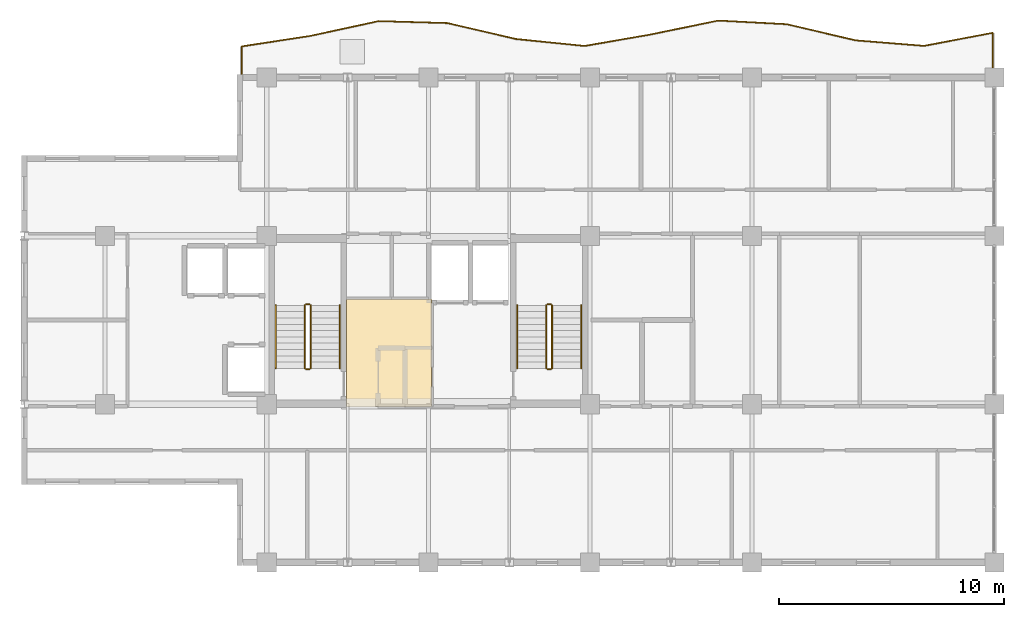
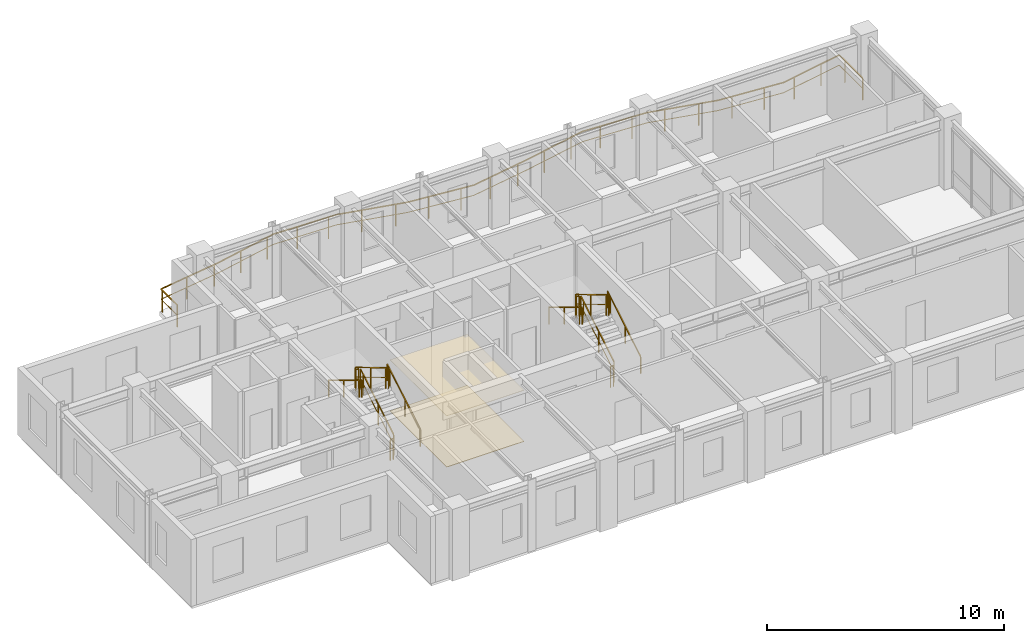
# One storey, part 10 of 10: 13 railings, 2 coverings.
"""IFC4 building model written with IfcOpenShell, lengths in metres."""

import ifcopenshell
import ifcopenshell.guid

model = None  # the IFC model being written
_history = None  # IfcOwnerHistory: only IFC2X3 demands one
_inside = {}  # id of a spatial element -> (the spatial element, [elements in it])
_under = {}  # id of a project, library or spatial element -> (it, [spatial elements below it])
_declared = {}  # id of a project -> (the project, [libraries it declares])
_typed = {}  # id of a type object -> (the type object, [elements of that type])
_made_of = {}  # id of a material, layer set ... -> (it, [elements and type objects made of it])


def new_model(schema):
    """Start an empty IFC model of exactly this schema.

    Asked for "IFC4X3", IfcOpenShell would pick the latest addendum, in which some entities
    have other attributes; the version numbers below select the first issue.
    IFC2X3 requires an IfcOwnerHistory on every rooted entity: one is made here for all.
    """
    global model, _history
    if schema == "IFC4X3":
        model = ifcopenshell.file(schema_version=(4, 3, 0, 0))
    else:
        model = ifcopenshell.file(schema=schema)
    _inside.clear()
    _under.clear()
    _declared.clear()
    _typed.clear()
    _made_of.clear()
    _history = None
    if model.schema == "IFC2X3":
        org = make("IfcOrganization", Name="unknown")
        user = make(
            "IfcPersonAndOrganization",
            ThePerson=make("IfcPerson", FamilyName="unknown"),
            TheOrganization=org,
        )
        app = make(
            "IfcApplication",
            ApplicationDeveloper=org,
            Version="unknown",
            ApplicationFullName="unknown",
            ApplicationIdentifier="unknown",
        )
        _history = make(
            "IfcOwnerHistory",
            OwningUser=user,
            OwningApplication=app,
            ChangeAction="ADDED",
            CreationDate=0,
        )
    return model


def make(cls, **values):
    """One entity of the class cls with the attributes given. An attribute that is None is left unset."""
    return model.create_entity(
        cls, **{name: value for name, value in values.items() if value is not None}
    )


def rooted(cls, **values):
    """An entity with a GlobalId (a new one), such as an element, a storey or a relation."""
    return make(cls, GlobalId=ifcopenshell.guid.new(), OwnerHistory=_history, **values)


def si_unit(unit_type, name, prefix=None):
    """IfcSIUnit, for example si_unit("LENGTHUNIT", "METRE", prefix="MILLI")."""
    return make("IfcSIUnit", UnitType=unit_type, Prefix=prefix, Name=name)


def assignment(units):
    """IfcUnitAssignment: the units of a project."""
    return None if units is None else make("IfcUnitAssignment", Units=units)


def point(xyz):
    """IfcCartesianPoint."""
    return None if xyz is None else make("IfcCartesianPoint", Coordinates=xyz)


def direction(xyz):
    """IfcDirection."""
    return None if xyz is None else make("IfcDirection", DirectionRatios=xyz)


def frame(location, z_axis=None, x_axis=None):
    """IfcAxis2Placement3D, a coordinate frame: its origin and axes. An axis left out is left unset."""
    return make(
        "IfcAxis2Placement3D",
        Location=point(location),
        Axis=direction(z_axis),
        RefDirection=direction(x_axis),
    )


def frame_2d(location, x_axis=None):
    """IfcAxis2Placement2D, a coordinate frame in the plane: its origin and x axis."""
    return make(
        "IfcAxis2Placement2D", Location=point(location), RefDirection=direction(x_axis)
    )


def origin():
    """The frame at (0, 0, 0) with its axes left unset."""
    return frame((0.0, 0.0, 0.0))


def origin_2d():
    """The frame at (0, 0) in the plane with its x axis left unset."""
    return frame_2d((0.0, 0.0))


def place(relative_to, where):
    """IfcLocalPlacement: puts the frame where relative to a parent placement (None: the world)."""
    return make(
        "IfcLocalPlacement", PlacementRelTo=relative_to, RelativePlacement=where
    )


def context(
    kind, dimensions, precision=None, world=None, true_north=None, identifier=None
):
    """IfcGeometricRepresentationContext, for example the 3D "Model" context."""
    return make(
        "IfcGeometricRepresentationContext",
        ContextIdentifier=identifier,
        ContextType=kind,
        CoordinateSpaceDimension=dimensions,
        Precision=precision,
        WorldCoordinateSystem=world,
        TrueNorth=true_north,
    )


def subcontext(parent, identifier, kind, view, scale=None):
    """IfcGeometricRepresentationSubContext, for example "Body" below "Model"."""
    return make(
        "IfcGeometricRepresentationSubContext",
        ContextIdentifier=identifier,
        ContextType=kind,
        ParentContext=parent,
        TargetScale=scale,
        TargetView=view,
    )


def project(units=None, contexts=None):
    """IfcProject with its units and contexts."""
    return rooted(
        "IfcProject",
        Name="project",
        RepresentationContexts=contexts,
        UnitsInContext=assignment(units),
    )


def spatial(cls, under=None, at=None, **own):
    """A site, building, storey or space (cls), placed at a placement, below another one or the project."""
    s = rooted(cls, ObjectPlacement=at, **own)
    if under is not None:
        _under.setdefault(under.id(), (under, []))[1].append(s)
    return s


def profile(cls, at=None, kind="AREA", **sizes):
    """A parametric profile (cls). Its sizes go by their IFC names, for example OverallWidth=200.0."""
    return make(cls, ProfileType=kind, Position=at, **sizes)


def rectangle(**sizes):
    """IfcRectangleProfileDef."""
    return profile("IfcRectangleProfileDef", **sizes)


def extrude(swept, where, along, depth):
    """IfcExtrudedAreaSolid: the profile swept, set in the frame where, extruded along a direction by depth."""
    return make(
        "IfcExtrudedAreaSolid",
        SweptArea=swept,
        Position=where,
        ExtrudedDirection=direction(along),
        Depth=depth,
    )


def shape(context_of_items, identifier, shape_type, items):
    """IfcShapeRepresentation: the items that make up one representation, for example the "Body"."""
    return make(
        "IfcShapeRepresentation",
        ContextOfItems=context_of_items,
        RepresentationIdentifier=identifier,
        RepresentationType=shape_type,
        Items=items,
    )


def source(mapping_origin, context_of_items, identifier, shape_type, items):
    """IfcRepresentationMap: a shape defined once, which mapped items show again and again."""
    return make(
        "IfcRepresentationMap",
        MappingOrigin=mapping_origin,
        MappedRepresentation=shape(context_of_items, identifier, shape_type, items),
    )


def transform(
    local_origin,
    x_axis=None,
    y_axis=None,
    z_axis=None,
    scale=None,
    scale2=None,
    scale3=None,
    uniform=True,
):
    """IfcCartesianTransformationOperator3D, or its non-uniform kind. x_axis, y_axis, z_axis: its Axis1, 2, 3."""
    if uniform:
        return make(
            "IfcCartesianTransformationOperator3D",
            Axis1=direction(x_axis),
            Axis2=direction(y_axis),
            LocalOrigin=point(local_origin),
            Scale=scale,
            Axis3=direction(z_axis),
        )
    return make(
        "IfcCartesianTransformationOperator3DnonUniform",
        Axis1=direction(x_axis),
        Axis2=direction(y_axis),
        LocalOrigin=point(local_origin),
        Scale=scale,
        Axis3=direction(z_axis),
        Scale2=scale2,
        Scale3=scale3,
    )


def mapped(mapping_source, mapping_target):
    """IfcMappedItem: shows the shape of a source again, moved by a transform."""
    return make(
        "IfcMappedItem", MappingSource=mapping_source, MappingTarget=mapping_target
    )


def material(Name=None, Category=None):
    """IfcMaterial."""
    return make("IfcMaterial", Name=Name, Category=Category)


def layer(
    of_material, thickness, ventilated=None, Name=None, Category=None, Priority=None
):
    """IfcMaterialLayer: one layer of a wall or slab, of a material (None: an air gap)."""
    return make(
        "IfcMaterialLayer",
        Material=of_material,
        LayerThickness=thickness,
        IsVentilated=ventilated,
        Name=Name,
        Category=Category,
        Priority=Priority,
    )


def layer_set(layers, Name=None):
    """IfcMaterialLayerSet."""
    return make("IfcMaterialLayerSet", MaterialLayers=layers, LayerSetName=Name)


def made_of(thing, what):
    """Note that an element or type object is made of a material, layer set ...; save() writes the relation."""
    if what is not None:
        _made_of.setdefault(what.id(), (what, []))[1].append(thing)
    return thing


def type_object(cls, material=None, **own):
    """A type object (cls), such as IfcWallType, which elements share."""
    return made_of(rooted(cls, **own), material)


def element(
    cls,
    number,
    at=None,
    inside=None,
    cuts=None,
    type_object=None,
    material=None,
    context=None,
    identifier="Body",
    shape_type=None,
    held_by="IfcProductDefinitionShape",
    body=None,
    shapes=None,
    **own,
):
    """One element of the class cls, such as IfcWall. Its Tag is "e" and its number.

    at: its placement. inside: the storey or other place that contains it. cuts: it is an
    opening in that element (IfcRelVoidsElement). A single representation is given by context,
    identifier, shape_type and body (its items); several are given by shapes. held_by: the class
    of the entity that holds the representations. save() writes the other relations.
    """
    e = rooted(cls, Tag="e%d" % number, ObjectPlacement=at, **own)
    if body is not None:
        shapes = [shape(context, identifier, shape_type, body)]
    if shapes is not None:
        e.Representation = make(held_by, Representations=shapes)
    if inside is not None:
        _inside.setdefault(inside.id(), (inside, []))[1].append(e)
    if cuts is not None:
        rooted(
            "IfcRelVoidsElement", RelatingBuildingElement=cuts, RelatedOpeningElement=e
        )
    if type_object is not None:
        _typed.setdefault(type_object.id(), (type_object, []))[1].append(e)
    return made_of(e, material)


def aggregate(whole, parts):
    """IfcRelAggregates: a whole, such as a stair, and the parts it consists of."""
    return rooted("IfcRelAggregates", RelatingObject=whole, RelatedObjects=parts)


def save(model, path):
    """Write the relations noted so far, then the file.

    IfcRelAggregates (storeys below a building ...), IfcRelContainedInSpatialStructure (elements
    in a storey), IfcRelDefinesByType, IfcRelAssociatesMaterial and IfcRelDeclares: one each for
    every whole, place, type object, material and project.
    """
    for whole, parts in _under.values():
        aggregate(whole, parts)
    for where, things in _inside.values():
        rooted(
            "IfcRelContainedInSpatialStructure",
            RelatedElements=things,
            RelatingStructure=where,
        )
    for kind, things in _typed.values():
        rooted("IfcRelDefinesByType", RelatedObjects=things, RelatingType=kind)
    for what, things in _made_of.values():
        rooted("IfcRelAssociatesMaterial", RelatedObjects=things, RelatingMaterial=what)
    for by, libraries in _declared.values():
        rooted("IfcRelDeclares", RelatingContext=by, RelatedDefinitions=libraries)
    model.write(path)


model = new_model("IFC4")

# Units and contexts
model_context = context("Model", 3, precision=1e-05, world=origin(), true_north=direction((0.0, 1.0)))
body_context = subcontext(model_context, "Body", "Model", "MODEL_VIEW")
ifc_project = project(units=[si_unit("LENGTHUNIT", "METRE"), si_unit("AREAUNIT", "SQUARE_METRE"), si_unit("VOLUMEUNIT", "CUBIC_METRE"), si_unit("PLANEANGLEUNIT", "RADIAN"), si_unit("MASSUNIT", "GRAM", prefix="KILO")], contexts=[model_context])

# Site, building, storey
site_placement = place(None, origin())
site = spatial("IfcSite", under=ifc_project, at=site_placement, CompositionType="ELEMENT")
building_placement = place(site_placement, origin())
building = spatial("IfcBuilding", under=site, at=building_placement, Name="Kaliganga Portal Commons", CompositionType="ELEMENT")
storey_placement = place(building_placement, frame((0.0, 0.0, 283.199951171875)))
storey = spatial("IfcBuildingStorey", under=building, at=storey_placement, Name="L73", CompositionType="ELEMENT", Elevation=283.199951171875)

# Railings
ifc_material_1 = material(Name="Laminated Safety Glass and Stainless Steel 316", Category="steel")
railing_type_1 = type_object("IfcRailingType", Name="RLG-BAL-1150", PredefinedType="BALUSTRADE", material=ifc_material_1)
railing_1_placement = place(storey_placement, frame((46.720458984375, 43.2080078125, 0.0)))
element("IfcRailing", 1, at=railing_1_placement, inside=storey, type_object=railing_type_1, Name="Balcony Guardrail L73 balc_north", PredefinedType="BALUSTRADE", context=body_context, shape_type="SweptSolid", body=[
    extrude(rectangle(XDim=0.048095703125, YDim=0.048095703125, at=origin_2d()), frame((0.0, 0.0, 1.1259765625), z_axis=(-0.000246426804, 0.999999969637, 0.0), x_axis=(-0.999999969637, -0.000246426804, 0.0)), (0.0, 0.0, 1.0), 1.9814453125),
    extrude(rectangle(XDim=0.028076171875, YDim=0.028076171875, at=origin_2d()), frame((0.0, 0.0, 0.597900390625), z_axis=(-0.000246426804, 0.999999969637, 0.0), x_axis=(-0.999999969637, -0.000246426804, 0.0)), (0.0, 0.0, 1.0), 1.9814453125),
    extrude(rectangle(XDim=0.048095703125, YDim=0.048095703125, at=origin_2d()), frame((-0.00048828125, 1.9814453125, 1.1259765625), z_axis=(-0.982425747669, -0.186653824811, 0.0), x_axis=(0.186653824811, -0.982425747669, 0.0)), (0.0, 0.0, 1.0), 3.109130859375),
    extrude(rectangle(XDim=0.028076171875, YDim=0.028076171875, at=origin_2d()), frame((-0.00048828125, 1.9814453125, 0.597900390625), z_axis=(-0.982425747669, -0.186653824811, 0.0), x_axis=(0.186653824811, -0.982425747669, 0.0)), (0.0, 0.0, 1.0), 3.109130859375),
    extrude(rectangle(XDim=0.048095703125, YDim=0.048095703125, at=origin_2d()), frame((-3.054931640625, 1.401123046875, 1.1259765625), z_axis=(-0.996751382799, 0.080539933505, 0.0), x_axis=(-0.080539933505, -0.996751382799, 0.0)), (0.0, 0.0, 1.0), 3.064697265625),
    extrude(rectangle(XDim=0.028076171875, YDim=0.028076171875, at=origin_2d()), frame((-3.054931640625, 1.401123046875, 0.597900390625), z_axis=(-0.996751382799, 0.080539933505, 0.0), x_axis=(-0.080539933505, -0.996751382799, 0.0)), (0.0, 0.0, 1.0), 3.064697265625),
    extrude(rectangle(XDim=0.048095703125, YDim=0.048095703125, at=origin_2d()), frame((-6.109619140625, 1.64794921875, 1.1259765625), z_axis=(-0.973439616392, 0.2289439085, 0.0), x_axis=(-0.2289439085, -0.973439616392, 0.0)), (0.0, 0.0, 1.0), 3.13720703125),
    extrude(rectangle(XDim=0.028076171875, YDim=0.028076171875, at=origin_2d()), frame((-6.109619140625, 1.64794921875, 0.597900390625), z_axis=(-0.973439616392, 0.2289439085, 0.0), x_axis=(-0.2289439085, -0.973439616392, 0.0)), (0.0, 0.0, 1.0), 3.13720703125),
    extrude(rectangle(XDim=0.048095703125, YDim=0.048095703125, at=origin_2d()), frame((-9.16357421875, 2.3662109375, 1.1259765625), z_axis=(-0.998610541148, 0.052697126182, 0.0), x_axis=(-0.052697126182, -0.998610541148, 0.0)), (0.0, 0.0, 1.0), 3.0576171875),
    extrude(rectangle(XDim=0.028076171875, YDim=0.028076171875, at=origin_2d()), frame((-9.16357421875, 2.3662109375, 0.597900390625), z_axis=(-0.998610541148, 0.052697126182, 0.0), x_axis=(-0.052697126182, -0.998610541148, 0.0)), (0.0, 0.0, 1.0), 3.0576171875),
    extrude(rectangle(XDim=0.048095703125, YDim=0.048095703125, at=origin_2d()), frame((-12.217041015625, 2.52734375, 1.1259765625), z_axis=(-0.979552885668, -0.201186838981, 0.0), x_axis=(0.201186838981, -0.979552885668, 0.0)), (0.0, 0.0, 1.0), 3.11865234375),
    extrude(rectangle(XDim=0.028076171875, YDim=0.028076171875, at=origin_2d()), frame((-12.217041015625, 2.52734375, 0.597900390625), z_axis=(-0.979552885668, -0.201186838981, 0.0), x_axis=(0.201186838981, -0.979552885668, 0.0)), (0.0, 0.0, 1.0), 3.11865234375),
    extrude(rectangle(XDim=0.048095703125, YDim=0.048095703125, at=origin_2d()), frame((-15.27197265625, 1.89990234375, 1.1259765625), z_axis=(-0.985276891523, -0.17096621605, 0.0), x_axis=(0.17096621605, -0.985276891523, 0.0)), (0.0, 0.0, 1.0), 2.940185546875),
    extrude(rectangle(XDim=0.028076171875, YDim=0.028076171875, at=origin_2d()), frame((-15.27197265625, 1.89990234375, 0.597900390625), z_axis=(-0.985276891523, -0.17096621605, 0.0), x_axis=(0.17096621605, -0.985276891523, 0.0)), (0.0, 0.0, 1.0), 2.940185546875),
    extrude(rectangle(XDim=0.048095703125, YDim=0.048095703125, at=origin_2d()), frame((-18.1689453125, 1.397216796875, 1.1259765625), z_axis=(-0.994891206319, 0.100952897875, 0.0), x_axis=(-0.100952897875, -0.994891206319, 0.0)), (0.0, 0.0, 1.0), 3.06884765625),
    extrude(rectangle(XDim=0.028076171875, YDim=0.028076171875, at=origin_2d()), frame((-18.1689453125, 1.397216796875, 0.597900390625), z_axis=(-0.994891206319, 0.100952897875, 0.0), x_axis=(-0.100952897875, -0.994891206319, 0.0)), (0.0, 0.0, 1.0), 3.06884765625),
    extrude(rectangle(XDim=0.048095703125, YDim=0.048095703125, at=origin_2d()), frame((-21.22216796875, 1.70703125, 1.1259765625), z_axis=(-0.974080664154, 0.226200927763, 0.0), x_axis=(-0.226200927763, -0.974080664154, 0.0)), (0.0, 0.0, 1.0), 3.136474609375),
    extrude(rectangle(XDim=0.028076171875, YDim=0.028076171875, at=origin_2d()), frame((-21.22216796875, 1.70703125, 0.597900390625), z_axis=(-0.974080664154, 0.226200927763, 0.0), x_axis=(-0.226200927763, -0.974080664154, 0.0)), (0.0, 0.0, 1.0), 3.136474609375),
    extrude(rectangle(XDim=0.048095703125, YDim=0.048095703125, at=origin_2d()), frame((-24.27734375, 2.41650390625, 1.1259765625), z_axis=(-0.999579278707, 0.029004578591, 0.0), x_axis=(-0.029004578591, -0.999579278707, 0.0)), (0.0, 0.0, 1.0), 3.055419921875),
    extrude(rectangle(XDim=0.028076171875, YDim=0.028076171875, at=origin_2d()), frame((-24.27734375, 2.41650390625, 0.597900390625), z_axis=(-0.999579278707, 0.029004578591, 0.0), x_axis=(-0.029004578591, -0.999579278707, 0.0)), (0.0, 0.0, 1.0), 3.055419921875),
    extrude(rectangle(XDim=0.048095703125, YDim=0.048095703125, at=origin_2d()), frame((-27.33154296875, 2.505126953125, 1.1259765625), z_axis=(-0.977367039829, -0.211550630953, 0.0), x_axis=(0.211550630953, -0.977367039829, 0.0)), (0.0, 0.0, 1.0), 3.125244140625),
    extrude(rectangle(XDim=0.028076171875, YDim=0.028076171875, at=origin_2d()), frame((-27.33154296875, 2.505126953125, 0.597900390625), z_axis=(-0.977367039829, -0.211550630953, 0.0), x_axis=(0.211550630953, -0.977367039829, 0.0)), (0.0, 0.0, 1.0), 3.125244140625),
    extrude(rectangle(XDim=0.048095703125, YDim=0.048095703125, at=origin_2d()), frame((-30.385986328125, 1.843994140625, 1.1259765625), z_axis=(-0.988487412372, -0.151303124826, 0.0), x_axis=(0.151303124826, -0.988487412372, 0.0)), (0.0, 0.0, 1.0), 3.090087890625),
    extrude(rectangle(XDim=0.028076171875, YDim=0.028076171875, at=origin_2d()), frame((-30.385986328125, 1.843994140625, 0.597900390625), z_axis=(-0.988487412372, -0.151303124826, 0.0), x_axis=(0.151303124826, -0.988487412372, 0.0)), (0.0, 0.0, 1.0), 3.090087890625),
    extrude(rectangle(XDim=0.048095703125, YDim=0.048095703125, at=origin_2d()), frame((-33.4404296875, 1.37646484375, 1.1259765625), z_axis=(-0.0003547357, -0.999999937081, 0.0), x_axis=(0.999999937081, -0.0003547357, 0.0)), (0.0, 0.0, 1.0), 1.37646484375),
    extrude(rectangle(XDim=0.028076171875, YDim=0.028076171875, at=origin_2d()), frame((-33.4404296875, 1.37646484375, 0.597900390625), z_axis=(-0.0003547357, -0.999999937081, 0.0), x_axis=(0.999999937081, -0.0003547357, 0.0)), (0.0, 0.0, 1.0), 1.37646484375),
    extrude(rectangle(XDim=0.0419921875, YDim=0.0419921875, at=origin_2d()), origin(), (0.0, 0.0, 1.0), 1.101806640625),
    extrude(rectangle(XDim=0.0419921875, YDim=0.0419921875, at=origin_2d()), frame((-0.00048828125, 1.5, 0.0)), (0.0, 0.0, 1.0), 1.101806640625),
    extrude(rectangle(XDim=0.0419921875, YDim=0.0419921875, at=origin_2d()), frame((-1.001220703125, 1.791259765625, 0.0)), (0.0, 0.0, 1.0), 1.101806640625),
    extrude(rectangle(XDim=0.0419921875, YDim=0.0419921875, at=origin_2d()), frame((-2.474853515625, 1.51123046875, 0.0)), (0.0, 0.0, 1.0), 1.101806640625),
    extrude(rectangle(XDim=0.0419921875, YDim=0.0419921875, at=origin_2d()), frame((-3.96142578125, 1.474365234375, 0.0)), (0.0, 0.0, 1.0), 1.101806640625),
    extrude(rectangle(XDim=0.0419921875, YDim=0.0419921875, at=origin_2d()), frame((-5.45654296875, 1.59521484375, 0.0)), (0.0, 0.0, 1.0), 1.101806640625),
    extrude(rectangle(XDim=0.0419921875, YDim=0.0419921875, at=origin_2d()), frame((-6.93212890625, 1.84130859375, 0.0)), (0.0, 0.0, 1.0), 1.101806640625),
    extrude(rectangle(XDim=0.0419921875, YDim=0.0419921875, at=origin_2d()), frame((-8.39208984375, 2.184814453125, 0.0)), (0.0, 0.0, 1.0), 1.101806640625),
    extrude(rectangle(XDim=0.0419921875, YDim=0.0419921875, at=origin_2d()), frame((-9.8701171875, 2.403564453125, 0.0)), (0.0, 0.0, 1.0), 1.101806640625),
    extrude(rectangle(XDim=0.0419921875, YDim=0.0419921875, at=origin_2d()), frame((-11.3681640625, 2.482421875, 0.0)), (0.0, 0.0, 1.0), 1.101806640625),
    extrude(rectangle(XDim=0.0419921875, YDim=0.0419921875, at=origin_2d()), frame((-12.853515625, 2.396728515625, 0.0)), (0.0, 0.0, 1.0), 1.101806640625),
    extrude(rectangle(XDim=0.0419921875, YDim=0.0419921875, at=origin_2d()), frame((-14.322998046875, 2.0947265625, 0.0)), (0.0, 0.0, 1.0), 1.101806640625),
    extrude(rectangle(XDim=0.0419921875, YDim=0.0419921875, at=origin_2d()), frame((-15.795166015625, 1.80908203125, 0.0)), (0.0, 0.0, 1.0), 1.101806640625),
    extrude(rectangle(XDim=0.0419921875, YDim=0.0419921875, at=origin_2d()), frame((-17.273193359375, 1.552734375, 0.0)), (0.0, 0.0, 1.0), 1.101806640625),
    extrude(rectangle(XDim=0.0419921875, YDim=0.0419921875, at=origin_2d()), frame((-18.7568359375, 1.456787109375, 0.0)), (0.0, 0.0, 1.0), 1.101806640625),
    extrude(rectangle(XDim=0.0419921875, YDim=0.0419921875, at=origin_2d()), frame((-20.2490234375, 1.6083984375, 0.0)), (0.0, 0.0, 1.0), 1.101806640625),
    extrude(rectangle(XDim=0.0419921875, YDim=0.0419921875, at=origin_2d()), frame((-21.730712890625, 1.8251953125, 0.0)), (0.0, 0.0, 1.0), 1.101806640625),
    extrude(rectangle(XDim=0.0419921875, YDim=0.0419921875, at=origin_2d()), frame((-23.191650390625, 2.164306640625, 0.0)), (0.0, 0.0, 1.0), 1.101806640625),
    extrude(rectangle(XDim=0.0419921875, YDim=0.0419921875, at=origin_2d()), frame((-24.66259765625, 2.427734375, 0.0)), (0.0, 0.0, 1.0), 1.101806640625),
    extrude(rectangle(XDim=0.0419921875, YDim=0.0419921875, at=origin_2d()), frame((-26.162109375, 2.47119140625, 0.0)), (0.0, 0.0, 1.0), 1.101806640625),
    extrude(rectangle(XDim=0.0419921875, YDim=0.0419921875, at=origin_2d()), frame((-27.654052734375, 2.435302734375, 0.0)), (0.0, 0.0, 1.0), 1.101806640625),
    extrude(rectangle(XDim=0.0419921875, YDim=0.0419921875, at=origin_2d()), frame((-29.1201171875, 2.117919921875, 0.0)), (0.0, 0.0, 1.0), 1.101806640625),
    extrude(rectangle(XDim=0.0419921875, YDim=0.0419921875, at=origin_2d()), frame((-30.58837890625, 1.81298828125, 0.0)), (0.0, 0.0, 1.0), 1.101806640625),
    extrude(rectangle(XDim=0.0419921875, YDim=0.0419921875, at=origin_2d()), frame((-32.0712890625, 1.5859375, 0.0)), (0.0, 0.0, 1.0), 1.101806640625),
    extrude(rectangle(XDim=0.0419921875, YDim=0.0419921875, at=origin_2d()), frame((-33.4404296875, 1.26171875, 0.0)), (0.0, 0.0, 1.0), 1.101806640625),
    extrude(rectangle(XDim=0.0419921875, YDim=0.0419921875, at=origin_2d()), frame((-33.44091796875, 0.0, 0.0)), (0.0, 0.0, 1.0), 1.101806640625),
])
ifc_material_2 = material(Name="Galvanized Painted Steel Balustrade", Category="steel")
railing_type_2 = type_object("IfcRailingType", Name="RLG-STAIR-GRD", PredefinedType="GUARDRAIL", material=ifc_material_2)
railing_2_placement = place(storey_placement, frame((16.35009765625, 30.25, 0.168212890625)))
element("IfcRailing", 2, at=railing_2_placement, inside=storey, type_object=railing_type_2, Name="L73 ST-A1 stair guard 1", PredefinedType="GUARDRAIL", context=body_context, shape_type="SweptSolid", body=[
    extrude(rectangle(XDim=0.048095703125, YDim=0.048095703125, at=origin_2d()), frame((0.0, 0.0, 1.072021484375), z_axis=(0.0, 0.857242210791, 0.514913383045), x_axis=(-1.0, 0.0, 0.0)), (0.0, 0.0, 1.0), 3.266357421875),
    extrude(rectangle(XDim=0.028076171875, YDim=0.028076171875, at=origin_2d()), frame((0.0, 0.0, 0.572021484375), z_axis=(0.0, 0.857242210791, 0.514913383045), x_axis=(-1.0, 0.0, 0.0)), (0.0, 0.0, 1.0), 3.266357421875),
    extrude(rectangle(XDim=0.0419921875, YDim=0.0419921875, at=origin_2d()), origin(), (0.0, 0.0, 1.0), 1.052001953125),
    extrude(rectangle(XDim=0.0419921875, YDim=0.0419921875, at=origin_2d()), frame((0.0, 1.285888671875, 0.7724609375)), (0.0, 0.0, 1.0), 1.052001953125),
    extrude(rectangle(XDim=0.0419921875, YDim=0.0419921875, at=origin_2d()), frame((0.0, 2.57177734375, 1.544677734375)), (0.0, 0.0, 1.0), 1.052001953125),
    extrude(rectangle(XDim=0.0419921875, YDim=0.0419921875, at=origin_2d()), frame((0.0, 2.800048828125, 1.681884765625)), (0.0, 0.0, 1.0), 1.052001953125),
])
railing_3_placement = place(storey_placement, frame((16.300048828125, 33.10009765625, 1.85009765625)))
element("IfcRailing", 3, at=railing_3_placement, inside=storey, type_object=railing_type_2, Name="L73 ST-A1 stair guard 2", PredefinedType="GUARDRAIL", context=body_context, shape_type="SweptSolid", body=[
    extrude(rectangle(XDim=0.048095703125, YDim=0.048095703125, at=origin_2d()), frame((0.0, 0.0, 1.076171875), z_axis=(-1.0, 0.0, 0.0), x_axis=(0.0, -1.0, 0.0)), (0.0, 0.0, 1.0), 0.150146484375),
    extrude(rectangle(XDim=0.028076171875, YDim=0.028076171875, at=origin_2d()), frame((0.0, 0.0, 0.572021484375), z_axis=(-1.0, 0.0, 0.0), x_axis=(0.0, -1.0, 0.0)), (0.0, 0.0, 1.0), 0.150146484375),
    extrude(rectangle(XDim=0.0419921875, YDim=0.0419921875, at=origin_2d()), origin(), (0.0, 0.0, 1.0), 1.052001953125),
    extrude(rectangle(XDim=0.0419921875, YDim=0.0419921875, at=origin_2d()), frame((-0.150146484375, 0.0, 0.0)), (0.0, 0.0, 1.0), 1.052001953125),
])
railing_4_placement = place(storey_placement, frame((16.10009765625, 33.050048828125, 2.018310546875)))
element("IfcRailing", 4, at=railing_4_placement, inside=storey, type_object=railing_type_2, Name="L73 ST-A1 stair guard 3", PredefinedType="GUARDRAIL", context=body_context, shape_type="SweptSolid", body=[
    extrude(rectangle(XDim=0.048095703125, YDim=0.048095703125, at=origin_2d()), frame((0.0, 0.0, 1.072021484375), z_axis=(0.0, -0.857275202839, 0.514858452973), x_axis=(1.0, 0.0, 0.0)), (0.0, 0.0, 1.0), 3.26611328125),
    extrude(rectangle(XDim=0.028076171875, YDim=0.028076171875, at=origin_2d()), frame((0.0, 0.0, 0.572021484375), z_axis=(0.0, -0.857275202839, 0.514858452973), x_axis=(1.0, 0.0, 0.0)), (0.0, 0.0, 1.0), 3.26611328125),
    extrude(rectangle(XDim=0.0419921875, YDim=0.0419921875, at=origin_2d()), origin(), (0.0, 0.0, 1.0), 1.052001953125),
    extrude(rectangle(XDim=0.0419921875, YDim=0.0419921875, at=origin_2d()), frame((0.0, -1.285888671875, 0.772216796875)), (0.0, 0.0, 1.0), 1.052001953125),
    extrude(rectangle(XDim=0.0419921875, YDim=0.0419921875, at=origin_2d()), frame((0.0, -2.57177734375, 1.544677734375)), (0.0, 0.0, 1.0), 1.052001953125),
    extrude(rectangle(XDim=0.0419921875, YDim=0.0419921875, at=origin_2d()), frame((0.0, -2.800048828125, 1.681640625)), (0.0, 0.0, 1.0), 1.052001953125),
])
railing_5_placement = place(storey_placement, frame((16.300048828125, 30.199951171875, 0.0)))
element("IfcRailing", 5, at=railing_5_placement, inside=storey, type_object=railing_type_2, Name="L73 ST-A1 stair guard 4", PredefinedType="GUARDRAIL", context=body_context, shape_type="SweptSolid", body=[
    extrude(rectangle(XDim=0.048095703125, YDim=0.048095703125, at=origin_2d()), frame((0.0, 0.0, 1.076171875), z_axis=(-1.0, 0.0, 0.0), x_axis=(0.0, -1.0, 0.0)), (0.0, 0.0, 1.0), 0.150146484375),
    extrude(rectangle(XDim=0.028076171875, YDim=0.028076171875, at=origin_2d()), frame((0.0, 0.0, 0.572021484375), z_axis=(-1.0, 0.0, 0.0), x_axis=(0.0, -1.0, 0.0)), (0.0, 0.0, 1.0), 0.150146484375),
    extrude(rectangle(XDim=0.0419921875, YDim=0.0419921875, at=origin_2d()), origin(), (0.0, 0.0, 1.0), 1.052001953125),
    extrude(rectangle(XDim=0.0419921875, YDim=0.0419921875, at=origin_2d()), frame((-0.150146484375, 0.0, 0.0)), (0.0, 0.0, 1.0), 1.052001953125),
])
railing_6_placement = place(storey_placement, frame((27.10009765625, 30.25, 0.168212890625)))
element("IfcRailing", 6, at=railing_6_placement, inside=storey, type_object=railing_type_2, Name="L73 ST-A2 stair guard 1", PredefinedType="GUARDRAIL", context=body_context, shape_type="SweptSolid", body=[
    extrude(rectangle(XDim=0.048095703125, YDim=0.048095703125, at=origin_2d()), frame((0.0, 0.0, 1.072021484375), z_axis=(0.0, 0.857242210791, 0.514913383045), x_axis=(-1.0, 0.0, 0.0)), (0.0, 0.0, 1.0), 3.266357421875),
    extrude(rectangle(XDim=0.028076171875, YDim=0.028076171875, at=origin_2d()), frame((0.0, 0.0, 0.572021484375), z_axis=(0.0, 0.857242210791, 0.514913383045), x_axis=(-1.0, 0.0, 0.0)), (0.0, 0.0, 1.0), 3.266357421875),
    extrude(rectangle(XDim=0.0419921875, YDim=0.0419921875, at=origin_2d()), origin(), (0.0, 0.0, 1.0), 1.052001953125),
    extrude(rectangle(XDim=0.0419921875, YDim=0.0419921875, at=origin_2d()), frame((0.0, 1.285888671875, 0.7724609375)), (0.0, 0.0, 1.0), 1.052001953125),
    extrude(rectangle(XDim=0.0419921875, YDim=0.0419921875, at=origin_2d()), frame((0.0, 2.57177734375, 1.544677734375)), (0.0, 0.0, 1.0), 1.052001953125),
    extrude(rectangle(XDim=0.0419921875, YDim=0.0419921875, at=origin_2d()), frame((0.0, 2.800048828125, 1.681884765625)), (0.0, 0.0, 1.0), 1.052001953125),
])
railing_7_placement = place(storey_placement, frame((27.050048828125, 33.10009765625, 1.85009765625)))
element("IfcRailing", 7, at=railing_7_placement, inside=storey, type_object=railing_type_2, Name="L73 ST-A2 stair guard 2", PredefinedType="GUARDRAIL", context=body_context, shape_type="SweptSolid", body=[
    extrude(rectangle(XDim=0.048095703125, YDim=0.048095703125, at=origin_2d()), frame((0.0, 0.0, 1.076171875), z_axis=(-1.0, 0.0, 0.0), x_axis=(0.0, -1.0, 0.0)), (0.0, 0.0, 1.0), 0.150146484375),
    extrude(rectangle(XDim=0.028076171875, YDim=0.028076171875, at=origin_2d()), frame((0.0, 0.0, 0.572021484375), z_axis=(-1.0, 0.0, 0.0), x_axis=(0.0, -1.0, 0.0)), (0.0, 0.0, 1.0), 0.150146484375),
    extrude(rectangle(XDim=0.0419921875, YDim=0.0419921875, at=origin_2d()), origin(), (0.0, 0.0, 1.0), 1.052001953125),
    extrude(rectangle(XDim=0.0419921875, YDim=0.0419921875, at=origin_2d()), frame((-0.150146484375, 0.0, 0.0)), (0.0, 0.0, 1.0), 1.052001953125),
])
railing_8_placement = place(storey_placement, frame((26.85009765625, 33.050048828125, 2.018310546875)))
element("IfcRailing", 8, at=railing_8_placement, inside=storey, type_object=railing_type_2, Name="L73 ST-A2 stair guard 3", PredefinedType="GUARDRAIL", context=body_context, shape_type="SweptSolid", body=[
    extrude(rectangle(XDim=0.048095703125, YDim=0.048095703125, at=origin_2d()), frame((0.0, 0.0, 1.072021484375), z_axis=(0.0, -0.857275202839, 0.514858452973), x_axis=(1.0, 0.0, 0.0)), (0.0, 0.0, 1.0), 3.26611328125),
    extrude(rectangle(XDim=0.028076171875, YDim=0.028076171875, at=origin_2d()), frame((0.0, 0.0, 0.572021484375), z_axis=(0.0, -0.857275202839, 0.514858452973), x_axis=(1.0, 0.0, 0.0)), (0.0, 0.0, 1.0), 3.26611328125),
    extrude(rectangle(XDim=0.0419921875, YDim=0.0419921875, at=origin_2d()), origin(), (0.0, 0.0, 1.0), 1.052001953125),
    extrude(rectangle(XDim=0.0419921875, YDim=0.0419921875, at=origin_2d()), frame((0.0, -1.285888671875, 0.772216796875)), (0.0, 0.0, 1.0), 1.052001953125),
    extrude(rectangle(XDim=0.0419921875, YDim=0.0419921875, at=origin_2d()), frame((0.0, -2.57177734375, 1.544677734375)), (0.0, 0.0, 1.0), 1.052001953125),
    extrude(rectangle(XDim=0.0419921875, YDim=0.0419921875, at=origin_2d()), frame((0.0, -2.800048828125, 1.681640625)), (0.0, 0.0, 1.0), 1.052001953125),
])
railing_9_placement = place(storey_placement, frame((27.050048828125, 30.199951171875, 0.0)))
element("IfcRailing", 9, at=railing_9_placement, inside=storey, type_object=railing_type_2, Name="L73 ST-A2 stair guard 4", PredefinedType="GUARDRAIL", context=body_context, shape_type="SweptSolid", body=[
    extrude(rectangle(XDim=0.048095703125, YDim=0.048095703125, at=origin_2d()), frame((0.0, 0.0, 1.076171875), z_axis=(-1.0, 0.0, 0.0), x_axis=(0.0, -1.0, 0.0)), (0.0, 0.0, 1.0), 0.150146484375),
    extrude(rectangle(XDim=0.028076171875, YDim=0.028076171875, at=origin_2d()), frame((0.0, 0.0, 0.572021484375), z_axis=(-1.0, 0.0, 0.0), x_axis=(0.0, -1.0, 0.0)), (0.0, 0.0, 1.0), 0.150146484375),
    extrude(rectangle(XDim=0.0419921875, YDim=0.0419921875, at=origin_2d()), origin(), (0.0, 0.0, 1.0), 1.052001953125),
    extrude(rectangle(XDim=0.0419921875, YDim=0.0419921875, at=origin_2d()), frame((-0.150146484375, 0.0, 0.0)), (0.0, 0.0, 1.0), 1.052001953125),
])
ifc_material_3 = material(Name="Brushed Stainless Steel 316", Category="steel")
railing_type_3 = type_object("IfcRailingType", Name="RLG-STAIR-HR", PredefinedType="HANDRAIL", material=ifc_material_3)
railing_10_placement = place(storey_placement, frame((17.64990234375, 30.25, 0.168212890625)))
element("IfcRailing", 10, at=railing_10_placement, inside=storey, type_object=railing_type_3, Name="L73 ST-A1 stair handrail 1", PredefinedType="HANDRAIL", context=body_context, shape_type="SweptSolid", body=[
    extrude(rectangle(XDim=0.048095703125, YDim=0.048095703125, at=origin_2d()), frame((0.0, 0.0, 0.871826171875), z_axis=(0.0, 0.857242210791, 0.514913383045), x_axis=(-1.0, 0.0, 0.0)), (0.0, 0.0, 1.0), 3.266357421875),
    extrude(rectangle(XDim=0.0419921875, YDim=0.0419921875, at=origin_2d()), origin(), (0.0, 0.0, 1.0), 0.851806640625),
    extrude(rectangle(XDim=0.0419921875, YDim=0.0419921875, at=origin_2d()), frame((0.0, 1.285888671875, 0.7724609375)), (0.0, 0.0, 1.0), 0.851806640625),
    extrude(rectangle(XDim=0.0419921875, YDim=0.0419921875, at=origin_2d()), frame((0.0, 2.57177734375, 1.544677734375)), (0.0, 0.0, 1.0), 0.851806640625),
    extrude(rectangle(XDim=0.0419921875, YDim=0.0419921875, at=origin_2d()), frame((0.0, 2.800048828125, 1.681884765625)), (0.0, 0.0, 1.0), 0.851806640625),
])
railing_11_placement = place(storey_placement, frame((14.800048828125, 33.050048828125, 2.018310546875)))
element("IfcRailing", 11, at=railing_11_placement, inside=storey, type_object=railing_type_3, Name="L73 ST-A1 stair handrail 2", PredefinedType="HANDRAIL", context=body_context, shape_type="SweptSolid", body=[
    extrude(rectangle(XDim=0.048095703125, YDim=0.048095703125, at=origin_2d()), frame((0.0, 0.0, 0.871826171875), z_axis=(0.0, -0.857275202839, 0.514858452973), x_axis=(1.0, 0.0, 0.0)), (0.0, 0.0, 1.0), 3.26611328125),
    extrude(rectangle(XDim=0.0419921875, YDim=0.0419921875, at=origin_2d()), origin(), (0.0, 0.0, 1.0), 0.851806640625),
    extrude(rectangle(XDim=0.0419921875, YDim=0.0419921875, at=origin_2d()), frame((0.0, -1.285888671875, 0.772216796875)), (0.0, 0.0, 1.0), 0.851806640625),
    extrude(rectangle(XDim=0.0419921875, YDim=0.0419921875, at=origin_2d()), frame((0.0, -2.57177734375, 1.544677734375)), (0.0, 0.0, 1.0), 0.851806640625),
    extrude(rectangle(XDim=0.0419921875, YDim=0.0419921875, at=origin_2d()), frame((0.0, -2.800048828125, 1.681640625)), (0.0, 0.0, 1.0), 0.851806640625),
])
railing_12_placement = place(storey_placement, frame((28.39990234375, 30.25, 0.168212890625)))
element("IfcRailing", 12, at=railing_12_placement, inside=storey, type_object=railing_type_3, Name="L73 ST-A2 stair handrail 1", PredefinedType="HANDRAIL", context=body_context, shape_type="SweptSolid", body=[
    extrude(rectangle(XDim=0.048095703125, YDim=0.048095703125, at=origin_2d()), frame((0.0, 0.0, 0.871826171875), z_axis=(0.0, 0.857242210791, 0.514913383045), x_axis=(-1.0, 0.0, 0.0)), (0.0, 0.0, 1.0), 3.266357421875),
    extrude(rectangle(XDim=0.0419921875, YDim=0.0419921875, at=origin_2d()), origin(), (0.0, 0.0, 1.0), 0.851806640625),
    extrude(rectangle(XDim=0.0419921875, YDim=0.0419921875, at=origin_2d()), frame((0.0, 1.285888671875, 0.7724609375)), (0.0, 0.0, 1.0), 0.851806640625),
    extrude(rectangle(XDim=0.0419921875, YDim=0.0419921875, at=origin_2d()), frame((0.0, 2.57177734375, 1.544677734375)), (0.0, 0.0, 1.0), 0.851806640625),
    extrude(rectangle(XDim=0.0419921875, YDim=0.0419921875, at=origin_2d()), frame((0.0, 2.800048828125, 1.681884765625)), (0.0, 0.0, 1.0), 0.851806640625),
])
railing_13_placement = place(storey_placement, frame((25.550048828125, 33.050048828125, 2.018310546875)))
element("IfcRailing", 13, at=railing_13_placement, inside=storey, type_object=railing_type_3, Name="L73 ST-A2 stair handrail 2", PredefinedType="HANDRAIL", context=body_context, shape_type="SweptSolid", body=[
    extrude(rectangle(XDim=0.048095703125, YDim=0.048095703125, at=origin_2d()), frame((0.0, 0.0, 0.871826171875), z_axis=(0.0, -0.857275202839, 0.514858452973), x_axis=(1.0, 0.0, 0.0)), (0.0, 0.0, 1.0), 3.26611328125),
    extrude(rectangle(XDim=0.0419921875, YDim=0.0419921875, at=origin_2d()), origin(), (0.0, 0.0, 1.0), 0.851806640625),
    extrude(rectangle(XDim=0.0419921875, YDim=0.0419921875, at=origin_2d()), frame((0.0, -1.285888671875, 0.772216796875)), (0.0, 0.0, 1.0), 0.851806640625),
    extrude(rectangle(XDim=0.0419921875, YDim=0.0419921875, at=origin_2d()), frame((0.0, -2.57177734375, 1.544677734375)), (0.0, 0.0, 1.0), 0.851806640625),
    extrude(rectangle(XDim=0.0419921875, YDim=0.0419921875, at=origin_2d()), frame((0.0, -2.800048828125, 1.681640625)), (0.0, 0.0, 1.0), 0.851806640625),
])

# Coverings
ifc_material_4 = material(Name="Acoustic Micro-Perforated Gypsum Ceiling", Category="gypsum")
ifc_layer_1 = layer(ifc_material_4, 0.02001953125)
ifc_layer_set_1 = layer_set([ifc_layer_1], Name="Acoustic Micro-Perforated Gypsum Ceiling")
covering_type_1 = type_object("IfcCoveringType", Name="COV-CEIL-GYP", PredefinedType="CEILING", material=ifc_layer_set_1)
shared_shape_1 = source(origin(), body_context, "Body", "SweptSolid", [
    extrude(rectangle(XDim=3.780029296875, YDim=4.780029296875, at=origin_2d()), origin(), (0.0, 0.0, 1.0), 0.02001953125),
])
covering_1_placement = place(storey_placement, frame((19.85009765625, 30.949951171875, 2.64013671875), z_axis=(0.0, 0.0, 1.0), x_axis=(1.0, 0.0, 0.0)))
element("IfcCovering", 14, at=covering_1_placement, inside=storey, type_object=covering_type_1, Name="Acoustic Ceiling L73 PLOB_A", PredefinedType="CEILING", context=body_context, shape_type="MappedRepresentation", body=[
    mapped(shared_shape_1, transform((0.0, 0.0, 0.0), x_axis=(1.0, 0.0, 0.0), y_axis=(0.0, 1.0, 0.0), z_axis=(0.0, 0.0, 1.0), scale=1.0)),
])
ifc_material_5 = material(Name="Polished Sylhet Stone Terrazzo Flooring", Category="masonry")
ifc_layer_2 = layer(ifc_material_5, 0.02490234375)
ifc_layer_set_2 = layer_set([ifc_layer_2], Name="Polished Sylhet Stone Terrazzo Flooring")
covering_type_2 = type_object("IfcCoveringType", Name="COV-FLR-TERRAZZO", PredefinedType="FLOORING", material=ifc_layer_set_2)
shared_shape_2 = source(origin(), body_context, "Body", "SweptSolid", [
    extrude(rectangle(XDim=3.780029296875, YDim=4.780029296875, at=origin_2d()), origin(), (0.0, 0.0, 1.0), 0.02490234375),
])
covering_2_placement = place(storey_placement, frame((19.85009765625, 30.949951171875, 0.00048828125), z_axis=(0.0, 0.0, 1.0), x_axis=(1.0, 0.0, 0.0)))
element("IfcCovering", 15, at=covering_2_placement, inside=storey, type_object=covering_type_2, Name="Terrazzo Flooring L73 PLOB_A", PredefinedType="FLOORING", context=body_context, shape_type="MappedRepresentation", body=[
    mapped(shared_shape_2, transform((0.0, 0.0, 0.0), x_axis=(1.0, 0.0, 0.0), y_axis=(0.0, 1.0, 0.0), z_axis=(0.0, 0.0, 1.0), scale=1.0)),
])

save(model, "model.ifc")
